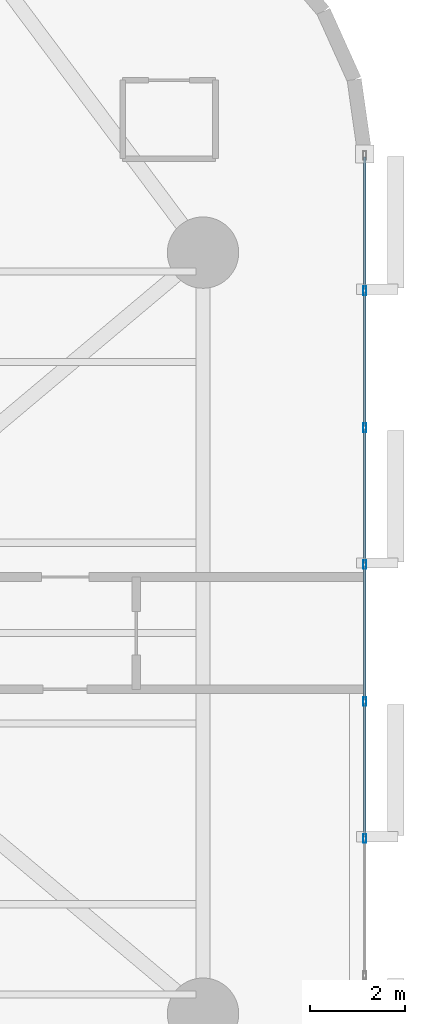
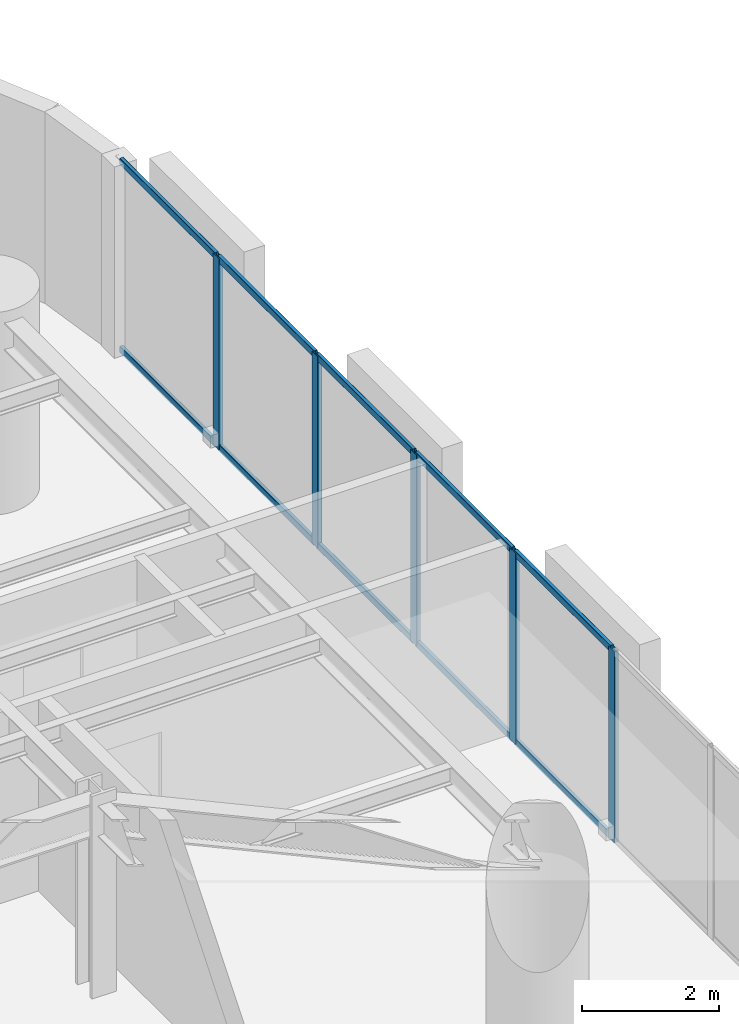
# One storey, part 6 of 16: 15 members, 1 element without a shape of its own.
"""IFC4 building model written with IfcOpenShell, lengths in metres."""

from ifc_helpers import new_model, si_unit, direction, frame, origin, origin_2d, place, context, subcontext, project, spatial, hollow_rectangle, extrude, material, layer, layer_set, material_profile, profile_set, type_object, element, aggregate, save


model = new_model("IFC4")

# Units and contexts
model_context = context("Model", 3, precision=1e-05, world=origin(), true_north=direction((0.0, 1.0)))
body_context = subcontext(model_context, "Body", "Model", "MODEL_VIEW")
ifc_project = project(units=[si_unit("LENGTHUNIT", "METRE"), si_unit("AREAUNIT", "SQUARE_METRE"), si_unit("VOLUMEUNIT", "CUBIC_METRE"), si_unit("PLANEANGLEUNIT", "RADIAN"), si_unit("MASSUNIT", "GRAM", prefix="KILO")], contexts=[model_context])

# Site, building, storey
site_placement = place(None, origin())
site = spatial("IfcSite", under=ifc_project, at=site_placement, CompositionType="ELEMENT")
building_placement = place(site_placement, origin())
building = spatial("IfcBuilding", under=site, at=building_placement, Name="An Khanh Terracotta Commons", CompositionType="ELEMENT")
storey_placement = place(building_placement, frame((0.0, 0.0, 28.800048828125)))
storey = spatial("IfcBuildingStorey", under=building, at=storey_placement, Name="L07", CompositionType="ELEMENT", Elevation=28.800048828125)

# Curtain wall, members
ifc_material = material(Name="Anodised Aluminium 6063-T6", Category="aluminium")
ifc_layer = layer(ifc_material, 0.199951171875, Name="Anodised Aluminium 6063-T6")
ifc_layer_set = layer_set([ifc_layer], Name="Anodised Aluminium 6063-T6")
curtain_wall_type = type_object("IfcCurtainWallType", Name="CW-SYS-02", PredefinedType="USERDEFINED", material=ifc_layer_set)
curtain_wall_placement = place(storey_placement, origin())
curtain_wall = element("IfcCurtainWall", 1, at=curtain_wall_placement, inside=storey, type_object=curtain_wall_type, Name="L07 CW-02 Unitised Curtain Wall CW-L07-12", ObjectType="UNITISED CURTAIN WALL", PredefinedType="USERDEFINED")
ifc_material_profile_1 = material_profile(ifc_material, hollow_rectangle(XDim=0.070068359375, YDim=0.179931640625, WallThickness=0.00390625, InnerFilletRadius=0.00390625, OuterFilletRadius=0.008056640625, at=origin_2d()), Name="RHS180x70x4")
ifc_profile_set_1 = profile_set([ifc_material_profile_1], Name="Anodised Aluminium 6063-T6")
member_type_1 = type_object("IfcMemberType", Name="CWM-RHS180x70x4", PredefinedType="MULLION", material=ifc_profile_set_1)
member_1_placement = place(storey_placement, frame((51.60009765625, 19.681396484375, 0.0), z_axis=(0.0, 0.0, 1.0), x_axis=(-1.0, 0.0, 0.0)))
member_1 = element("IfcMember", 2, at=member_1_placement, type_object=member_type_1, Name="CW-02 mullion 3", PredefinedType="MULLION", context=body_context, shape_type="SweptSolid", body=[
    extrude(hollow_rectangle(XDim=0.070068359375, YDim=0.179931640625, WallThickness=0.00390625, InnerFilletRadius=0.00390625, OuterFilletRadius=0.008056640625, at=origin_2d()), origin(), (0.0, 0.0, 1.0), 3.39990234375),
])
member_2_placement = place(storey_placement, frame((51.60009765625, 22.560546875, 0.0), z_axis=(0.0, 0.0, 1.0), x_axis=(-1.0, 0.0, 0.0)))
member_2 = element("IfcMember", 3, at=member_2_placement, type_object=member_type_1, Name="CW-02 mullion 4", PredefinedType="MULLION", context=body_context, shape_type="SweptSolid", body=[
    extrude(hollow_rectangle(XDim=0.070068359375, YDim=0.179931640625, WallThickness=0.00390625, InnerFilletRadius=0.00390625, OuterFilletRadius=0.008056640625, at=origin_2d()), origin(), (0.0, 0.0, 1.0), 3.39990234375),
])
member_3_placement = place(storey_placement, frame((51.60009765625, 25.439453125, 0.0), z_axis=(0.0, 0.0, 1.0), x_axis=(-1.0, 0.0, 0.0)))
member_3 = element("IfcMember", 4, at=member_3_placement, type_object=member_type_1, Name="CW-02 mullion 5", PredefinedType="MULLION", context=body_context, shape_type="SweptSolid", body=[
    extrude(hollow_rectangle(XDim=0.070068359375, YDim=0.179931640625, WallThickness=0.00390625, InnerFilletRadius=0.00390625, OuterFilletRadius=0.008056640625, at=origin_2d()), origin(), (0.0, 0.0, 1.0), 3.39990234375),
])
member_4_placement = place(storey_placement, frame((51.60009765625, 28.318603515625, 0.0), z_axis=(0.0, 0.0, 1.0), x_axis=(-1.0, 0.0, 0.0)))
member_4 = element("IfcMember", 5, at=member_4_placement, type_object=member_type_1, Name="CW-02 mullion 6", PredefinedType="MULLION", context=body_context, shape_type="SweptSolid", body=[
    extrude(hollow_rectangle(XDim=0.070068359375, YDim=0.179931640625, WallThickness=0.00390625, InnerFilletRadius=0.00390625, OuterFilletRadius=0.008056640625, at=origin_2d()), origin(), (0.0, 0.0, 1.0), 3.39990234375),
])
member_5_placement = place(storey_placement, frame((51.60009765625, 31.19775390625, 0.0), z_axis=(0.0, 0.0, 1.0), x_axis=(-1.0, 0.0, 0.0)))
member_5 = element("IfcMember", 6, at=member_5_placement, type_object=member_type_1, Name="CW-02 mullion 7", PredefinedType="MULLION", context=body_context, shape_type="SweptSolid", body=[
    extrude(hollow_rectangle(XDim=0.070068359375, YDim=0.179931640625, WallThickness=0.00390625, InnerFilletRadius=0.00390625, OuterFilletRadius=0.008056640625, at=origin_2d()), origin(), (0.0, 0.0, 1.0), 3.39990234375),
])
ifc_material_profile_2 = material_profile(ifc_material, hollow_rectangle(XDim=0.06005859375, YDim=0.1201171875, WallThickness=0.003662109375, InnerFilletRadius=0.003662109375, OuterFilletRadius=0.007080078125, at=origin_2d()), Name="RHS120x60x3.6")
ifc_profile_set_2 = profile_set([ifc_material_profile_2], Name="Anodised Aluminium 6063-T6")
member_type_2 = type_object("IfcMemberType", Name="CWT-RHS120x60x3.6", PredefinedType="USERDEFINED", material=ifc_profile_set_2)
member_6_placement = place(storey_placement, frame((51.60009765625, 19.71630859375, 0.030029296875), z_axis=(0.0, 1.0, 0.0), x_axis=(-1.0, 0.0, 0.0)))
member_6 = element("IfcMember", 7, at=member_6_placement, type_object=member_type_2, Name="CW-02 transom 3.1", ObjectType="TRANSOM", PredefinedType="USERDEFINED", context=body_context, shape_type="SweptSolid", body=[
    extrude(hollow_rectangle(XDim=0.06005859375, YDim=0.1201171875, WallThickness=0.003662109375, InnerFilletRadius=0.003662109375, OuterFilletRadius=0.007080078125, at=origin_2d()), origin(), (0.0, 0.0, 1.0), 2.80908203125),
])
member_7_placement = place(storey_placement, frame((51.60009765625, 19.71630859375, 3.369873046875), z_axis=(0.0, 1.0, 0.0), x_axis=(-1.0, 0.0, 0.0)))
member_7 = element("IfcMember", 8, at=member_7_placement, type_object=member_type_2, Name="CW-02 transom 3.2", ObjectType="TRANSOM", PredefinedType="USERDEFINED", context=body_context, shape_type="SweptSolid", body=[
    extrude(hollow_rectangle(XDim=0.06005859375, YDim=0.1201171875, WallThickness=0.003662109375, InnerFilletRadius=0.003662109375, OuterFilletRadius=0.007080078125, at=origin_2d()), origin(), (0.0, 0.0, 1.0), 2.80908203125),
])
member_8_placement = place(storey_placement, frame((51.60009765625, 22.595458984375, 0.030029296875), z_axis=(0.0, 1.0, 0.0), x_axis=(-1.0, 0.0, 0.0)))
member_8 = element("IfcMember", 9, at=member_8_placement, type_object=member_type_2, Name="CW-02 transom 4.1", ObjectType="TRANSOM", PredefinedType="USERDEFINED", context=body_context, shape_type="SweptSolid", body=[
    extrude(hollow_rectangle(XDim=0.06005859375, YDim=0.1201171875, WallThickness=0.003662109375, InnerFilletRadius=0.003662109375, OuterFilletRadius=0.007080078125, at=origin_2d()), origin(), (0.0, 0.0, 1.0), 2.80908203125),
])
member_9_placement = place(storey_placement, frame((51.60009765625, 22.595458984375, 3.369873046875), z_axis=(0.0, 1.0, 0.0), x_axis=(-1.0, 0.0, 0.0)))
member_9 = element("IfcMember", 10, at=member_9_placement, type_object=member_type_2, Name="CW-02 transom 4.2", ObjectType="TRANSOM", PredefinedType="USERDEFINED", context=body_context, shape_type="SweptSolid", body=[
    extrude(hollow_rectangle(XDim=0.06005859375, YDim=0.1201171875, WallThickness=0.003662109375, InnerFilletRadius=0.003662109375, OuterFilletRadius=0.007080078125, at=origin_2d()), origin(), (0.0, 0.0, 1.0), 2.80908203125),
])
member_10_placement = place(storey_placement, frame((51.60009765625, 25.474609375, 0.030029296875), z_axis=(0.0, 1.0, 0.0), x_axis=(-1.0, 0.0, 0.0)))
member_10 = element("IfcMember", 11, at=member_10_placement, type_object=member_type_2, Name="CW-02 transom 5.1", ObjectType="TRANSOM", PredefinedType="USERDEFINED", context=body_context, shape_type="SweptSolid", body=[
    extrude(hollow_rectangle(XDim=0.06005859375, YDim=0.1201171875, WallThickness=0.003662109375, InnerFilletRadius=0.003662109375, OuterFilletRadius=0.007080078125, at=origin_2d()), origin(), (0.0, 0.0, 1.0), 2.80908203125),
])
member_11_placement = place(storey_placement, frame((51.60009765625, 25.474609375, 3.369873046875), z_axis=(0.0, 1.0, 0.0), x_axis=(-1.0, 0.0, 0.0)))
member_11 = element("IfcMember", 12, at=member_11_placement, type_object=member_type_2, Name="CW-02 transom 5.2", ObjectType="TRANSOM", PredefinedType="USERDEFINED", context=body_context, shape_type="SweptSolid", body=[
    extrude(hollow_rectangle(XDim=0.06005859375, YDim=0.1201171875, WallThickness=0.003662109375, InnerFilletRadius=0.003662109375, OuterFilletRadius=0.007080078125, at=origin_2d()), origin(), (0.0, 0.0, 1.0), 2.80908203125),
])
member_12_placement = place(storey_placement, frame((51.60009765625, 28.353759765625, 0.030029296875), z_axis=(0.0, 1.0, 0.0), x_axis=(-1.0, 0.0, 0.0)))
member_12 = element("IfcMember", 13, at=member_12_placement, type_object=member_type_2, Name="CW-02 transom 6.1", ObjectType="TRANSOM", PredefinedType="USERDEFINED", context=body_context, shape_type="SweptSolid", body=[
    extrude(hollow_rectangle(XDim=0.06005859375, YDim=0.1201171875, WallThickness=0.003662109375, InnerFilletRadius=0.003662109375, OuterFilletRadius=0.007080078125, at=origin_2d()), origin(), (0.0, 0.0, 1.0), 2.80908203125),
])
member_13_placement = place(storey_placement, frame((51.60009765625, 28.353759765625, 3.369873046875), z_axis=(0.0, 1.0, 0.0), x_axis=(-1.0, 0.0, 0.0)))
member_13 = element("IfcMember", 14, at=member_13_placement, type_object=member_type_2, Name="CW-02 transom 6.2", ObjectType="TRANSOM", PredefinedType="USERDEFINED", context=body_context, shape_type="SweptSolid", body=[
    extrude(hollow_rectangle(XDim=0.06005859375, YDim=0.1201171875, WallThickness=0.003662109375, InnerFilletRadius=0.003662109375, OuterFilletRadius=0.007080078125, at=origin_2d()), origin(), (0.0, 0.0, 1.0), 2.80908203125),
])
member_14_placement = place(storey_placement, frame((51.60009765625, 31.23291015625, 0.030029296875), z_axis=(0.0, 1.0, 0.0), x_axis=(-1.0, 0.0, 0.0)))
member_14 = element("IfcMember", 15, at=member_14_placement, type_object=member_type_2, Name="CW-02 transom 7.1", ObjectType="TRANSOM", PredefinedType="USERDEFINED", context=body_context, shape_type="SweptSolid", body=[
    extrude(hollow_rectangle(XDim=0.06005859375, YDim=0.1201171875, WallThickness=0.003662109375, InnerFilletRadius=0.003662109375, OuterFilletRadius=0.007080078125, at=origin_2d()), origin(), (0.0, 0.0, 1.0), 2.774169921875),
])
member_15_placement = place(storey_placement, frame((51.60009765625, 31.23291015625, 3.369873046875), z_axis=(0.0, 1.0, 0.0), x_axis=(-1.0, 0.0, 0.0)))
member_15 = element("IfcMember", 16, at=member_15_placement, type_object=member_type_2, Name="CW-02 transom 7.2", ObjectType="TRANSOM", PredefinedType="USERDEFINED", context=body_context, shape_type="SweptSolid", body=[
    extrude(hollow_rectangle(XDim=0.06005859375, YDim=0.1201171875, WallThickness=0.003662109375, InnerFilletRadius=0.003662109375, OuterFilletRadius=0.007080078125, at=origin_2d()), origin(), (0.0, 0.0, 1.0), 2.774169921875),
])
aggregate(curtain_wall, [member_1, member_2, member_3, member_4, member_5, member_6, member_7, member_8, member_9, member_10, member_11, member_12, member_13, member_14, member_15])

save(model, "model.ifc")
